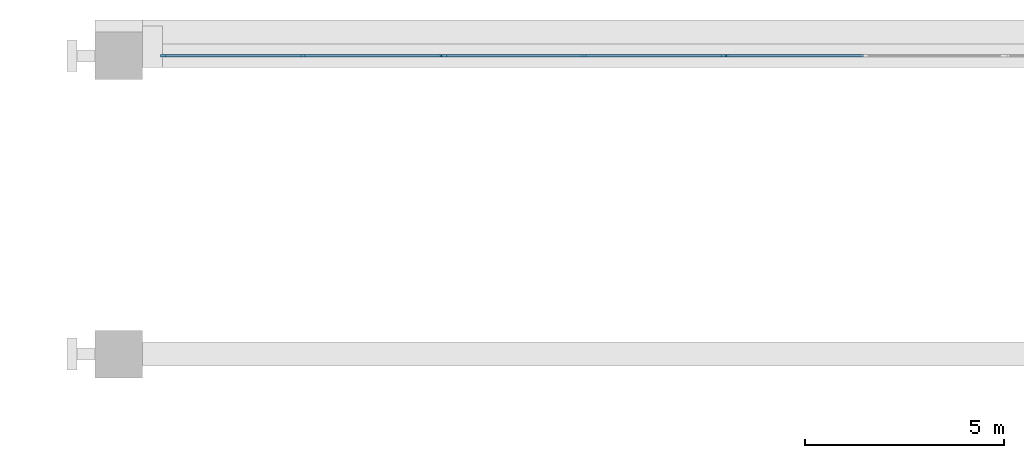
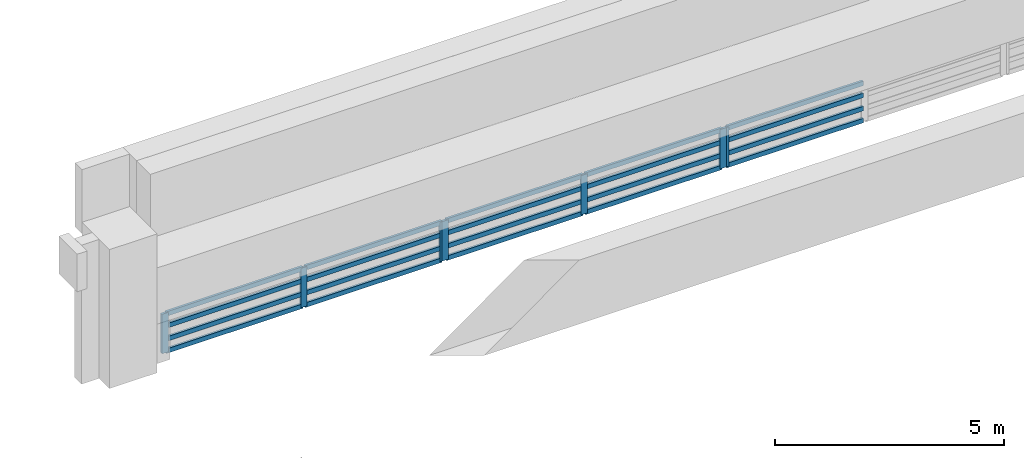
# One storey, part 15 of 61: 27 members, 3 elements without a shape of their own.
"""IFC4 building model written with IfcOpenShell, lengths in metres."""

from ifc_helpers import new_model, si_unit, direction, frame, origin, origin_2d, place, context, subcontext, project, spatial, rectangle, extrude, material, layer, layer_set, material_profile, profile_set, type_object, element, aggregate, save


model = new_model("IFC4")

# Units and contexts
model_context = context("Model", 3, precision=1e-05, world=origin(), true_north=direction((0.0, 1.0)))
body_context = subcontext(model_context, "Body", "Model", "MODEL_VIEW")
ifc_project = project(units=[si_unit("LENGTHUNIT", "METRE"), si_unit("AREAUNIT", "SQUARE_METRE"), si_unit("VOLUMEUNIT", "CUBIC_METRE"), si_unit("PLANEANGLEUNIT", "RADIAN"), si_unit("MASSUNIT", "GRAM", prefix="KILO")], contexts=[model_context])

# Site, building, storey
site_placement = place(None, origin())
site = spatial("IfcSite", under=ifc_project, at=site_placement, CompositionType="ELEMENT")
building_placement = place(site_placement, origin())
building = spatial("IfcBuilding", under=site, at=building_placement, Name="Cour d'Honneur Mobility Palace", CompositionType="ELEMENT")
storey_placement = place(building_placement, frame((0.0, 0.0, 11.89990234375)))
storey = spatial("IfcBuildingStorey", under=building, at=storey_placement, Name="L03", CompositionType="ELEMENT", Elevation=11.89990234375)

# Curtain wall, members
ifc_material_1 = material(Name="Aluminium and glass", Category="aluminium")
ifc_layer = layer(ifc_material_1, 0.10009765625)
ifc_layer_set = layer_set([ifc_layer], Name="Aluminium and glass")
curtain_wall_type = type_object("IfcCurtainWallType", Name="Curtain wall run", PredefinedType="NOTDEFINED", material=ifc_layer_set)
curtain_wall_1_placement = place(storey_placement, origin())
curtain_wall_1 = element("IfcCurtainWall", 1, at=curtain_wall_1_placement, inside=storey, type_object=curtain_wall_type, Name="Curtain wall CW-181", PredefinedType="NOTDEFINED")
ifc_material_2 = material(Name="Aluminium", Category="aluminium")
ifc_material_profile_1 = material_profile(ifc_material_2, rectangle(XDim=0.06005859375, YDim=0.159912109375, at=origin_2d()), Name="Curtain wall mullion")
ifc_profile_set_1 = profile_set([ifc_material_profile_1], Name="Aluminium")
member_type_1 = type_object("IfcMemberType", Name="Curtain wall mullion", PredefinedType="MULLION", material=ifc_profile_set_1)
member_1_placement = place(storey_placement, frame((63.530029296875, 114.89990234375, 0.0), z_axis=(0.0, 0.0, 1.0), x_axis=(0.0, 1.0, 0.0)))
member_1 = element("IfcMember", 2, at=member_1_placement, type_object=member_type_1, Name="CW-181 mullion 1", PredefinedType="MULLION", context=body_context, shape_type="SweptSolid", body=[
    extrude(rectangle(XDim=0.06005859375, YDim=0.159912109375, at=origin_2d()), origin(), (0.0, 0.0, 1.0), 1.050048828125),
])
member_2_placement = place(storey_placement, frame((67.030029296875, 114.89990234375, 0.0), z_axis=(0.0, 0.0, 1.0), x_axis=(0.0, 1.0, 0.0)))
member_2 = element("IfcMember", 3, at=member_2_placement, type_object=member_type_1, Name="CW-181 mullion 2", PredefinedType="MULLION", context=body_context, shape_type="SweptSolid", body=[
    extrude(rectangle(XDim=0.06005859375, YDim=0.159912109375, at=origin_2d()), origin(), (0.0, 0.0, 1.0), 1.050048828125),
])
member_3_placement = place(storey_placement, frame((70.530029296875, 114.89990234375, 0.0), z_axis=(0.0, 0.0, 1.0), x_axis=(0.0, 1.0, 0.0)))
member_3 = element("IfcMember", 4, at=member_3_placement, type_object=member_type_1, Name="CW-181 mullion 3", PredefinedType="MULLION", context=body_context, shape_type="SweptSolid", body=[
    extrude(rectangle(XDim=0.06005859375, YDim=0.159912109375, at=origin_2d()), origin(), (0.0, 0.0, 1.0), 1.050048828125),
])

curtain_wall_2_placement = place(storey_placement, origin())
curtain_wall_2 = element("IfcCurtainWall", 5, at=curtain_wall_2_placement, inside=storey, type_object=curtain_wall_type, Name="Curtain wall CW-182", PredefinedType="NOTDEFINED")
member_4_placement = place(storey_placement, frame((70.590087890625, 114.89990234375, 0.0), z_axis=(0.0, 0.0, 1.0), x_axis=(0.0, 1.0, 0.0)))
member_4 = element("IfcMember", 6, at=member_4_placement, type_object=member_type_1, Name="CW-182 mullion 1", PredefinedType="MULLION", context=body_context, shape_type="SweptSolid", body=[
    extrude(rectangle(XDim=0.06005859375, YDim=0.159912109375, at=origin_2d()), origin(), (0.0, 0.0, 1.0), 1.050048828125),
])
member_5_placement = place(storey_placement, frame((74.090087890625, 114.89990234375, 0.0), z_axis=(0.0, 0.0, 1.0), x_axis=(0.0, 1.0, 0.0)))
member_5 = element("IfcMember", 7, at=member_5_placement, type_object=member_type_1, Name="CW-182 mullion 2", PredefinedType="MULLION", context=body_context, shape_type="SweptSolid", body=[
    extrude(rectangle(XDim=0.06005859375, YDim=0.159912109375, at=origin_2d()), origin(), (0.0, 0.0, 1.0), 1.050048828125),
])
member_6_placement = place(storey_placement, frame((77.590087890625, 114.89990234375, 0.0), z_axis=(0.0, 0.0, 1.0), x_axis=(0.0, 1.0, 0.0)))
member_6 = element("IfcMember", 8, at=member_6_placement, type_object=member_type_1, Name="CW-182 mullion 3", PredefinedType="MULLION", context=body_context, shape_type="SweptSolid", body=[
    extrude(rectangle(XDim=0.06005859375, YDim=0.159912109375, at=origin_2d()), origin(), (0.0, 0.0, 1.0), 1.050048828125),
])

# Curtain wall, member
curtain_wall_3_placement = place(storey_placement, origin())
curtain_wall_3 = element("IfcCurtainWall", 9, at=curtain_wall_3_placement, inside=storey, type_object=curtain_wall_type, Name="Curtain wall CW-183", PredefinedType="NOTDEFINED")
member_7_placement = place(storey_placement, frame((77.64990234375, 114.89990234375, 0.0), z_axis=(0.0, 0.0, 1.0), x_axis=(0.0, 1.0, 0.0)))
member_7 = element("IfcMember", 10, at=member_7_placement, type_object=member_type_1, Name="CW-183 mullion 1", PredefinedType="MULLION", context=body_context, shape_type="SweptSolid", body=[
    extrude(rectangle(XDim=0.06005859375, YDim=0.159912109375, at=origin_2d()), origin(), (0.0, 0.0, 1.0), 1.050048828125),
])

# Member
ifc_material_3 = material(Name="Aluminium", Category="aluminium")
ifc_material_profile_2 = material_profile(ifc_material_3, rectangle(XDim=0.06005859375, YDim=0.1201171875, at=origin_2d()), Name="Curtain wall transom")
ifc_profile_set_2 = profile_set([ifc_material_profile_2], Name="Aluminium")
member_type_2 = type_object("IfcMemberType", Name="Curtain wall transom", PredefinedType="USERDEFINED", material=ifc_profile_set_2)
member_8_placement = place(storey_placement, frame((63.56005859375, 114.89990234375, 0.030029296875), z_axis=(1.0, 0.0, 0.0), x_axis=(0.0, 1.0, 0.0)))
member_8 = element("IfcMember", 11, at=member_8_placement, type_object=member_type_2, Name="CW-181 transom 1.1", ObjectType="TRANSOM", PredefinedType="USERDEFINED", context=body_context, shape_type="SweptSolid", body=[
    extrude(rectangle(XDim=0.06005859375, YDim=0.1201171875, at=origin_2d()), origin(), (0.0, 0.0, 1.0), 3.43994140625),
])

member_9_placement = place(storey_placement, frame((63.56005859375, 114.89990234375, 0.35009765625), z_axis=(1.0, 0.0, 0.0), x_axis=(0.0, 1.0, 0.0)))
member_9 = element("IfcMember", 12, at=member_9_placement, type_object=member_type_2, Name="CW-181 transom 1.2", ObjectType="TRANSOM", PredefinedType="USERDEFINED", context=body_context, shape_type="SweptSolid", body=[
    extrude(rectangle(XDim=0.06005859375, YDim=0.1201171875, at=origin_2d()), origin(), (0.0, 0.0, 1.0), 3.43994140625),
])

member_10_placement = place(storey_placement, frame((63.56005859375, 114.89990234375, 0.7001953125), z_axis=(1.0, 0.0, 0.0), x_axis=(0.0, 1.0, 0.0)))
member_10 = element("IfcMember", 13, at=member_10_placement, type_object=member_type_2, Name="CW-181 transom 1.3", ObjectType="TRANSOM", PredefinedType="USERDEFINED", context=body_context, shape_type="SweptSolid", body=[
    extrude(rectangle(XDim=0.06005859375, YDim=0.1201171875, at=origin_2d()), origin(), (0.0, 0.0, 1.0), 3.43994140625),
])

member_11_placement = place(storey_placement, frame((63.56005859375, 114.89990234375, 1.02001953125), z_axis=(1.0, 0.0, 0.0), x_axis=(0.0, 1.0, 0.0)))
member_11 = element("IfcMember", 14, at=member_11_placement, type_object=member_type_2, Name="CW-181 transom 1.4", ObjectType="TRANSOM", PredefinedType="USERDEFINED", context=body_context, shape_type="SweptSolid", body=[
    extrude(rectangle(XDim=0.06005859375, YDim=0.1201171875, at=origin_2d()), origin(), (0.0, 0.0, 1.0), 3.43994140625),
])

member_12_placement = place(storey_placement, frame((67.06005859375, 114.89990234375, 0.030029296875), z_axis=(1.0, 0.0, 0.0), x_axis=(0.0, 1.0, 0.0)))
member_12 = element("IfcMember", 15, at=member_12_placement, type_object=member_type_2, Name="CW-181 transom 2.1", ObjectType="TRANSOM", PredefinedType="USERDEFINED", context=body_context, shape_type="SweptSolid", body=[
    extrude(rectangle(XDim=0.06005859375, YDim=0.1201171875, at=origin_2d()), origin(), (0.0, 0.0, 1.0), 3.43994140625),
])

member_13_placement = place(storey_placement, frame((67.06005859375, 114.89990234375, 0.35009765625), z_axis=(1.0, 0.0, 0.0), x_axis=(0.0, 1.0, 0.0)))
member_13 = element("IfcMember", 16, at=member_13_placement, type_object=member_type_2, Name="CW-181 transom 2.2", ObjectType="TRANSOM", PredefinedType="USERDEFINED", context=body_context, shape_type="SweptSolid", body=[
    extrude(rectangle(XDim=0.06005859375, YDim=0.1201171875, at=origin_2d()), origin(), (0.0, 0.0, 1.0), 3.43994140625),
])

member_14_placement = place(storey_placement, frame((67.06005859375, 114.89990234375, 0.7001953125), z_axis=(1.0, 0.0, 0.0), x_axis=(0.0, 1.0, 0.0)))
member_14 = element("IfcMember", 17, at=member_14_placement, type_object=member_type_2, Name="CW-181 transom 2.3", ObjectType="TRANSOM", PredefinedType="USERDEFINED", context=body_context, shape_type="SweptSolid", body=[
    extrude(rectangle(XDim=0.06005859375, YDim=0.1201171875, at=origin_2d()), origin(), (0.0, 0.0, 1.0), 3.43994140625),
])

member_15_placement = place(storey_placement, frame((67.06005859375, 114.89990234375, 1.02001953125), z_axis=(1.0, 0.0, 0.0), x_axis=(0.0, 1.0, 0.0)))
member_15 = element("IfcMember", 18, at=member_15_placement, type_object=member_type_2, Name="CW-181 transom 2.4", ObjectType="TRANSOM", PredefinedType="USERDEFINED", context=body_context, shape_type="SweptSolid", body=[
    extrude(rectangle(XDim=0.06005859375, YDim=0.1201171875, at=origin_2d()), origin(), (0.0, 0.0, 1.0), 3.43994140625),
])

aggregate(curtain_wall_1, [member_1, member_2, member_3, member_8, member_9, member_10, member_11, member_12, member_13, member_14, member_15])

member_16_placement = place(storey_placement, frame((70.6201171875, 114.89990234375, 0.030029296875), z_axis=(1.0, 0.0, 0.0), x_axis=(0.0, 1.0, 0.0)))
member_16 = element("IfcMember", 19, at=member_16_placement, type_object=member_type_2, Name="CW-182 transom 1.1", ObjectType="TRANSOM", PredefinedType="USERDEFINED", context=body_context, shape_type="SweptSolid", body=[
    extrude(rectangle(XDim=0.06005859375, YDim=0.1201171875, at=origin_2d()), origin(), (0.0, 0.0, 1.0), 3.43994140625),
])

member_17_placement = place(storey_placement, frame((70.6201171875, 114.89990234375, 0.35009765625), z_axis=(1.0, 0.0, 0.0), x_axis=(0.0, 1.0, 0.0)))
member_17 = element("IfcMember", 20, at=member_17_placement, type_object=member_type_2, Name="CW-182 transom 1.2", ObjectType="TRANSOM", PredefinedType="USERDEFINED", context=body_context, shape_type="SweptSolid", body=[
    extrude(rectangle(XDim=0.06005859375, YDim=0.1201171875, at=origin_2d()), origin(), (0.0, 0.0, 1.0), 3.43994140625),
])

member_18_placement = place(storey_placement, frame((70.6201171875, 114.89990234375, 0.7001953125), z_axis=(1.0, 0.0, 0.0), x_axis=(0.0, 1.0, 0.0)))
member_18 = element("IfcMember", 21, at=member_18_placement, type_object=member_type_2, Name="CW-182 transom 1.3", ObjectType="TRANSOM", PredefinedType="USERDEFINED", context=body_context, shape_type="SweptSolid", body=[
    extrude(rectangle(XDim=0.06005859375, YDim=0.1201171875, at=origin_2d()), origin(), (0.0, 0.0, 1.0), 3.43994140625),
])

member_19_placement = place(storey_placement, frame((70.6201171875, 114.89990234375, 1.02001953125), z_axis=(1.0, 0.0, 0.0), x_axis=(0.0, 1.0, 0.0)))
member_19 = element("IfcMember", 22, at=member_19_placement, type_object=member_type_2, Name="CW-182 transom 1.4", ObjectType="TRANSOM", PredefinedType="USERDEFINED", context=body_context, shape_type="SweptSolid", body=[
    extrude(rectangle(XDim=0.06005859375, YDim=0.1201171875, at=origin_2d()), origin(), (0.0, 0.0, 1.0), 3.43994140625),
])

member_20_placement = place(storey_placement, frame((74.1201171875, 114.89990234375, 0.030029296875), z_axis=(1.0, 0.0, 0.0), x_axis=(0.0, 1.0, 0.0)))
member_20 = element("IfcMember", 23, at=member_20_placement, type_object=member_type_2, Name="CW-182 transom 2.1", ObjectType="TRANSOM", PredefinedType="USERDEFINED", context=body_context, shape_type="SweptSolid", body=[
    extrude(rectangle(XDim=0.06005859375, YDim=0.1201171875, at=origin_2d()), origin(), (0.0, 0.0, 1.0), 3.43994140625),
])

member_21_placement = place(storey_placement, frame((74.1201171875, 114.89990234375, 0.35009765625), z_axis=(1.0, 0.0, 0.0), x_axis=(0.0, 1.0, 0.0)))
member_21 = element("IfcMember", 24, at=member_21_placement, type_object=member_type_2, Name="CW-182 transom 2.2", ObjectType="TRANSOM", PredefinedType="USERDEFINED", context=body_context, shape_type="SweptSolid", body=[
    extrude(rectangle(XDim=0.06005859375, YDim=0.1201171875, at=origin_2d()), origin(), (0.0, 0.0, 1.0), 3.43994140625),
])

member_22_placement = place(storey_placement, frame((74.1201171875, 114.89990234375, 0.7001953125), z_axis=(1.0, 0.0, 0.0), x_axis=(0.0, 1.0, 0.0)))
member_22 = element("IfcMember", 25, at=member_22_placement, type_object=member_type_2, Name="CW-182 transom 2.3", ObjectType="TRANSOM", PredefinedType="USERDEFINED", context=body_context, shape_type="SweptSolid", body=[
    extrude(rectangle(XDim=0.06005859375, YDim=0.1201171875, at=origin_2d()), origin(), (0.0, 0.0, 1.0), 3.43994140625),
])

member_23_placement = place(storey_placement, frame((74.1201171875, 114.89990234375, 1.02001953125), z_axis=(1.0, 0.0, 0.0), x_axis=(0.0, 1.0, 0.0)))
member_23 = element("IfcMember", 26, at=member_23_placement, type_object=member_type_2, Name="CW-182 transom 2.4", ObjectType="TRANSOM", PredefinedType="USERDEFINED", context=body_context, shape_type="SweptSolid", body=[
    extrude(rectangle(XDim=0.06005859375, YDim=0.1201171875, at=origin_2d()), origin(), (0.0, 0.0, 1.0), 3.43994140625),
])

aggregate(curtain_wall_2, [member_4, member_5, member_6, member_16, member_17, member_18, member_19, member_20, member_21, member_22, member_23])

member_24_placement = place(storey_placement, frame((77.679931640625, 114.89990234375, 0.030029296875), z_axis=(1.0, 0.0, 0.0), x_axis=(0.0, 1.0, 0.0)))
member_24 = element("IfcMember", 27, at=member_24_placement, type_object=member_type_2, Name="CW-183 transom 1.1", ObjectType="TRANSOM", PredefinedType="USERDEFINED", context=body_context, shape_type="SweptSolid", body=[
    extrude(rectangle(XDim=0.06005859375, YDim=0.1201171875, at=origin_2d()), origin(), (0.0, 0.0, 1.0), 3.440185546875),
])

member_25_placement = place(storey_placement, frame((77.679931640625, 114.89990234375, 0.35009765625), z_axis=(1.0, 0.0, 0.0), x_axis=(0.0, 1.0, 0.0)))
member_25 = element("IfcMember", 28, at=member_25_placement, type_object=member_type_2, Name="CW-183 transom 1.2", ObjectType="TRANSOM", PredefinedType="USERDEFINED", context=body_context, shape_type="SweptSolid", body=[
    extrude(rectangle(XDim=0.06005859375, YDim=0.1201171875, at=origin_2d()), origin(), (0.0, 0.0, 1.0), 3.440185546875),
])

member_26_placement = place(storey_placement, frame((77.679931640625, 114.89990234375, 0.7001953125), z_axis=(1.0, 0.0, 0.0), x_axis=(0.0, 1.0, 0.0)))
member_26 = element("IfcMember", 29, at=member_26_placement, type_object=member_type_2, Name="CW-183 transom 1.3", ObjectType="TRANSOM", PredefinedType="USERDEFINED", context=body_context, shape_type="SweptSolid", body=[
    extrude(rectangle(XDim=0.06005859375, YDim=0.1201171875, at=origin_2d()), origin(), (0.0, 0.0, 1.0), 3.440185546875),
])

member_27_placement = place(storey_placement, frame((77.679931640625, 114.89990234375, 1.02001953125), z_axis=(1.0, 0.0, 0.0), x_axis=(0.0, 1.0, 0.0)))
member_27 = element("IfcMember", 30, at=member_27_placement, type_object=member_type_2, Name="CW-183 transom 1.4", ObjectType="TRANSOM", PredefinedType="USERDEFINED", context=body_context, shape_type="SweptSolid", body=[
    extrude(rectangle(XDim=0.06005859375, YDim=0.1201171875, at=origin_2d()), origin(), (0.0, 0.0, 1.0), 3.440185546875),
])

aggregate(curtain_wall_3, [member_7, member_24, member_25, member_26, member_27])

save(model, "model.ifc")
